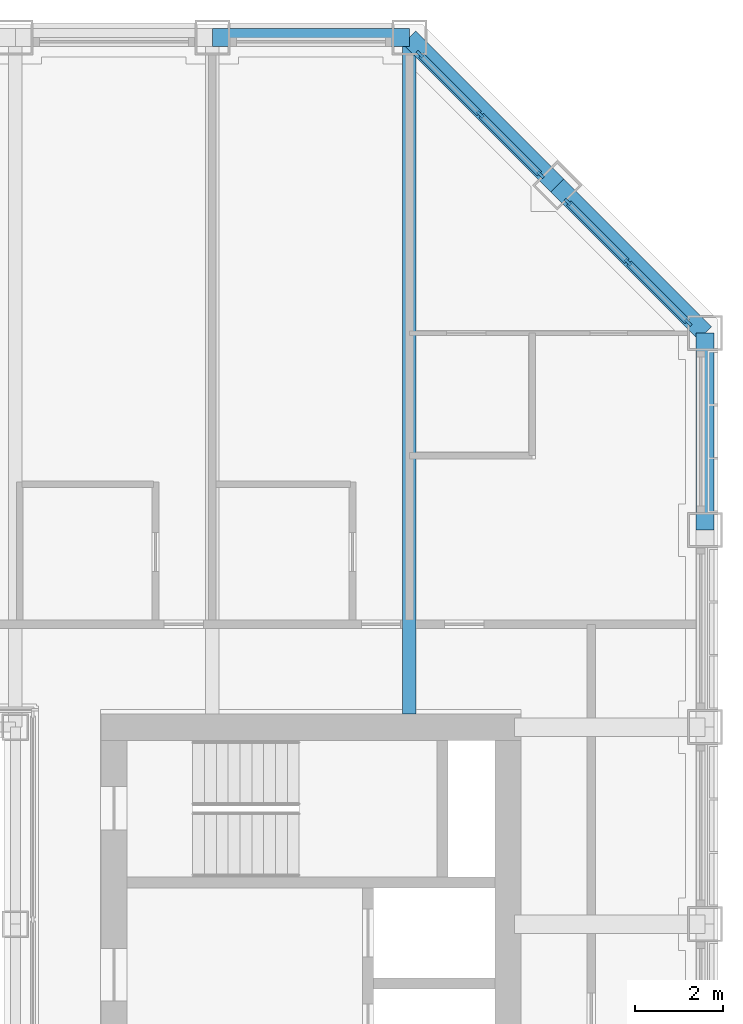
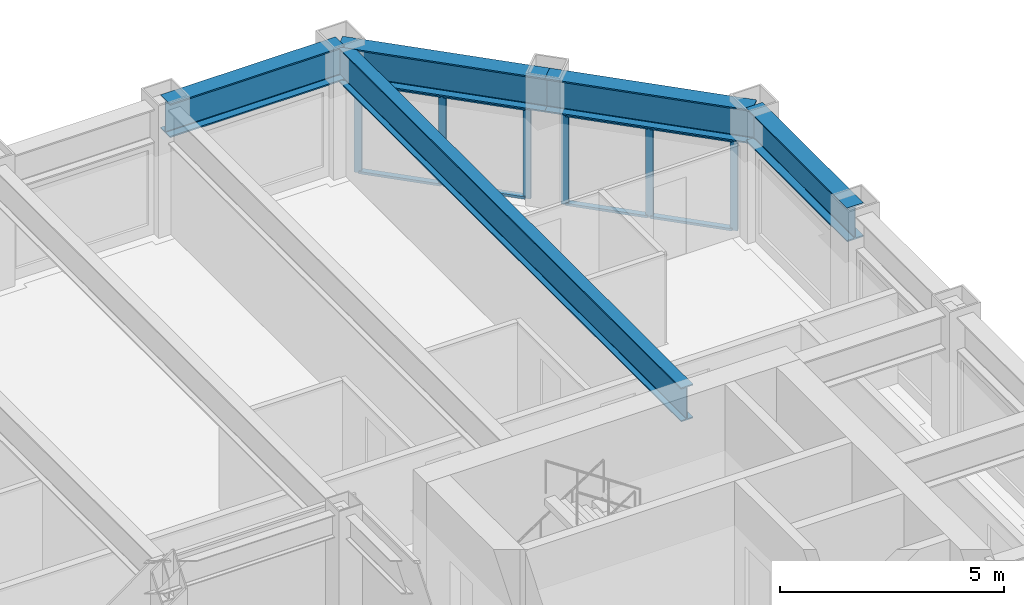
# One storey, part 8 of 17: 14 members, 5 beams, 2 elements without a shape of their own.
"""IFC4 building model written with IfcOpenShell, lengths in metres."""

from ifc_helpers import new_model, si_unit, direction, frame, origin, origin_2d, place, context, subcontext, project, spatial, rectangle, i_section, extrude, material, material_profile, profile_set, type_object, element, aggregate, save


model = new_model("IFC4")

# Units and contexts
model_context = context("Model", 3, precision=1e-05, world=origin(), true_north=direction((0.0, 1.0)))
body_context = subcontext(model_context, "Body", "Model", "MODEL_VIEW")
ifc_project = project(units=[si_unit("LENGTHUNIT", "METRE"), si_unit("AREAUNIT", "SQUARE_METRE"), si_unit("VOLUMEUNIT", "CUBIC_METRE"), si_unit("PLANEANGLEUNIT", "RADIAN"), si_unit("MASSUNIT", "GRAM", prefix="KILO")], contexts=[model_context])

# Site, building, storey
site_placement = place(None, origin())
site = spatial("IfcSite", under=ifc_project, at=site_placement, CompositionType="ELEMENT")
building_placement = place(site_placement, origin())
building = spatial("IfcBuilding", under=site, at=building_placement, Name="Msasa Ring Tower", CompositionType="ELEMENT")
storey_placement = place(building_placement, frame((0.0, 0.0, 179.60009765625)))
storey = spatial("IfcBuildingStorey", under=building, at=storey_placement, Name="L47", CompositionType="ELEMENT", Elevation=179.60009765625)

# Curtain wall, members
ifc_material_1 = material(Name="Aluminium curtain wall with clear glass", Category="aluminium")
curtain_wall_type = type_object("IfcCurtainWallType", Name="CW-C CHAMFER CORNER CURTAIN WALL", PredefinedType="NOTDEFINED", material=ifc_material_1)
curtain_wall_1_placement = place(storey_placement, origin())
curtain_wall_1 = element("IfcCurtainWall", 1, at=curtain_wall_1_placement, inside=storey, type_object=curtain_wall_type, Name="Chamfer corner curtain wall NE L47", PredefinedType="NOTDEFINED")
ifc_material_2 = material(Name="Aluminium mullion", Category="aluminium")
ifc_material_profile_1 = material_profile(ifc_material_2, rectangle(XDim=0.06494140625, YDim=0.179931640625, at=origin_2d()), Name="AL 65x180")
ifc_profile_set_1 = profile_set([ifc_material_profile_1], Name="Aluminium mullion")
member_type_1 = type_object("IfcMemberType", Name="CW-C MULLION 65x180", PredefinedType="MULLION", material=ifc_profile_set_1)
member_1_placement = place(storey_placement, frame((18.744873046875, 19.36376953125, 0.0), z_axis=(0.0, 0.0, 1.0), x_axis=(-0.707106781187, -0.707106781187, 0.0)))
member_1 = element("IfcMember", 2, at=member_1_placement, type_object=member_type_1, Name="CW-C mullion 1", PredefinedType="MULLION", context=body_context, shape_type="SweptSolid", body=[
    extrude(rectangle(XDim=0.06494140625, YDim=0.179931640625, at=origin_2d()), origin(), (0.0, 0.0, 1.0), 2.47900390625),
])
member_2_placement = place(storey_placement, frame((17.36669921875, 20.74169921875, 0.0), z_axis=(0.0, 0.0, 1.0), x_axis=(-0.707106781187, -0.707106781187, 0.0)))
member_2 = element("IfcMember", 3, at=member_2_placement, type_object=member_type_1, Name="CW-C mullion 2", PredefinedType="MULLION", context=body_context, shape_type="SweptSolid", body=[
    extrude(rectangle(XDim=0.06494140625, YDim=0.179931640625, at=origin_2d()), origin(), (0.0, 0.0, 1.0), 2.47900390625),
])
member_3_placement = place(storey_placement, frame((15.98876953125, 22.119873046875, 0.0), z_axis=(0.0, 0.0, 1.0), x_axis=(-0.707106781187, -0.707106781187, 0.0)))
member_3 = element("IfcMember", 4, at=member_3_placement, type_object=member_type_1, Name="CW-C mullion 3", PredefinedType="MULLION", context=body_context, shape_type="SweptSolid", body=[
    extrude(rectangle(XDim=0.06494140625, YDim=0.179931640625, at=origin_2d()), origin(), (0.0, 0.0, 1.0), 2.47900390625),
])

curtain_wall_2_placement = place(storey_placement, origin())
curtain_wall_2 = element("IfcCurtainWall", 5, at=curtain_wall_2_placement, inside=storey, type_object=curtain_wall_type, Name="Chamfer corner curtain wall NE L47", PredefinedType="NOTDEFINED")
member_4_placement = place(storey_placement, frame((22.119873046875, 15.98876953125, 0.0), z_axis=(0.0, 0.0, 1.0), x_axis=(-0.707106781187, -0.707106781187, 0.0)))
member_4 = element("IfcMember", 6, at=member_4_placement, type_object=member_type_1, Name="CW-C mullion 1", PredefinedType="MULLION", context=body_context, shape_type="SweptSolid", body=[
    extrude(rectangle(XDim=0.06494140625, YDim=0.179931640625, at=origin_2d()), origin(), (0.0, 0.0, 1.0), 2.47900390625),
])
member_5_placement = place(storey_placement, frame((20.74169921875, 17.36669921875, 0.0), z_axis=(0.0, 0.0, 1.0), x_axis=(-0.707106781187, -0.707106781187, 0.0)))
member_5 = element("IfcMember", 7, at=member_5_placement, type_object=member_type_1, Name="CW-C mullion 2", PredefinedType="MULLION", context=body_context, shape_type="SweptSolid", body=[
    extrude(rectangle(XDim=0.06494140625, YDim=0.179931640625, at=origin_2d()), origin(), (0.0, 0.0, 1.0), 2.47900390625),
])
member_6_placement = place(storey_placement, frame((19.36376953125, 18.744873046875, 0.0), z_axis=(0.0, 0.0, 1.0), x_axis=(-0.707106781187, -0.707106781187, 0.0)))
member_6 = element("IfcMember", 8, at=member_6_placement, type_object=member_type_1, Name="CW-C mullion 3", PredefinedType="MULLION", context=body_context, shape_type="SweptSolid", body=[
    extrude(rectangle(XDim=0.06494140625, YDim=0.179931640625, at=origin_2d()), origin(), (0.0, 0.0, 1.0), 2.47900390625),
])

# Member
ifc_material_3 = material(Name="Aluminium transom", Category="aluminium")
ifc_material_profile_2 = material_profile(ifc_material_3, rectangle(XDim=0.139892578125, YDim=0.06494140625, at=origin_2d()), Name="AL 65x140")
ifc_profile_set_2 = profile_set([ifc_material_profile_2], Name="Aluminium transom")
member_type_2 = type_object("IfcMemberType", Name="CW-C TRANSOM 65x140", PredefinedType="USERDEFINED", material=ifc_profile_set_2)
member_7_placement = place(storey_placement, frame((18.721923828125, 19.38671875, 0.032470703125), z_axis=(-0.707106781187, 0.707106781187, 0.0), x_axis=(-0.707106781187, -0.707106781187, 0.0)))
member_7 = element("IfcMember", 9, at=member_7_placement, type_object=member_type_2, Name="CW-C transom 1.1", ObjectType="TRANSOM", PredefinedType="USERDEFINED", context=body_context, shape_type="SweptSolid", body=[
    extrude(rectangle(XDim=0.139892578125, YDim=0.06494140625, at=origin_2d()), origin(), (0.0, 0.0, 1.0), 1.8837890625),
])

member_8_placement = place(storey_placement, frame((18.721923828125, 19.38671875, 2.4462890625), z_axis=(-0.707106781187, 0.707106781187, 0.0), x_axis=(-0.707106781187, -0.707106781187, 0.0)))
member_8 = element("IfcMember", 10, at=member_8_placement, type_object=member_type_2, Name="CW-C transom 1.2", ObjectType="TRANSOM", PredefinedType="USERDEFINED", context=body_context, shape_type="SweptSolid", body=[
    extrude(rectangle(XDim=0.139892578125, YDim=0.06494140625, at=origin_2d()), origin(), (0.0, 0.0, 1.0), 1.8837890625),
])

member_9_placement = place(storey_placement, frame((17.34375, 20.764892578125, 0.032470703125), z_axis=(-0.707106781187, 0.707106781187, 0.0), x_axis=(-0.707106781187, -0.707106781187, 0.0)))
member_9 = element("IfcMember", 11, at=member_9_placement, type_object=member_type_2, Name="CW-C transom 2.1", ObjectType="TRANSOM", PredefinedType="USERDEFINED", context=body_context, shape_type="SweptSolid", body=[
    extrude(rectangle(XDim=0.139892578125, YDim=0.06494140625, at=origin_2d()), origin(), (0.0, 0.0, 1.0), 1.8837890625),
])

member_10_placement = place(storey_placement, frame((17.34375, 20.764892578125, 2.4462890625), z_axis=(-0.707106781187, 0.707106781187, 0.0), x_axis=(-0.707106781187, -0.707106781187, 0.0)))
member_10 = element("IfcMember", 12, at=member_10_placement, type_object=member_type_2, Name="CW-C transom 2.2", ObjectType="TRANSOM", PredefinedType="USERDEFINED", context=body_context, shape_type="SweptSolid", body=[
    extrude(rectangle(XDim=0.139892578125, YDim=0.06494140625, at=origin_2d()), origin(), (0.0, 0.0, 1.0), 1.8837890625),
])

aggregate(curtain_wall_1, [member_1, member_2, member_3, member_7, member_8, member_9, member_10])

member_11_placement = place(storey_placement, frame((22.096923828125, 16.01171875, 0.032470703125), z_axis=(-0.707106781187, 0.707106781187, 0.0), x_axis=(-0.707106781187, -0.707106781187, 0.0)))
member_11 = element("IfcMember", 13, at=member_11_placement, type_object=member_type_2, Name="CW-C transom 1.1", ObjectType="TRANSOM", PredefinedType="USERDEFINED", context=body_context, shape_type="SweptSolid", body=[
    extrude(rectangle(XDim=0.139892578125, YDim=0.06494140625, at=origin_2d()), origin(), (0.0, 0.0, 1.0), 1.8837890625),
])

member_12_placement = place(storey_placement, frame((22.096923828125, 16.01171875, 2.4462890625), z_axis=(-0.707106781187, 0.707106781187, 0.0), x_axis=(-0.707106781187, -0.707106781187, 0.0)))
member_12 = element("IfcMember", 14, at=member_12_placement, type_object=member_type_2, Name="CW-C transom 1.2", ObjectType="TRANSOM", PredefinedType="USERDEFINED", context=body_context, shape_type="SweptSolid", body=[
    extrude(rectangle(XDim=0.139892578125, YDim=0.06494140625, at=origin_2d()), origin(), (0.0, 0.0, 1.0), 1.8837890625),
])

member_13_placement = place(storey_placement, frame((20.71875, 17.389892578125, 0.032470703125), z_axis=(-0.707106781187, 0.707106781187, 0.0), x_axis=(-0.707106781187, -0.707106781187, 0.0)))
member_13 = element("IfcMember", 15, at=member_13_placement, type_object=member_type_2, Name="CW-C transom 2.1", ObjectType="TRANSOM", PredefinedType="USERDEFINED", context=body_context, shape_type="SweptSolid", body=[
    extrude(rectangle(XDim=0.139892578125, YDim=0.06494140625, at=origin_2d()), origin(), (0.0, 0.0, 1.0), 1.8837890625),
])

member_14_placement = place(storey_placement, frame((20.71875, 17.389892578125, 2.4462890625), z_axis=(-0.707106781187, 0.707106781187, 0.0), x_axis=(-0.707106781187, -0.707106781187, 0.0)))
member_14 = element("IfcMember", 16, at=member_14_placement, type_object=member_type_2, Name="CW-C transom 2.2", ObjectType="TRANSOM", PredefinedType="USERDEFINED", context=body_context, shape_type="SweptSolid", body=[
    extrude(rectangle(XDim=0.139892578125, YDim=0.06494140625, at=origin_2d()), origin(), (0.0, 0.0, 1.0), 1.8837890625),
])

aggregate(curtain_wall_2, [member_4, member_5, member_6, member_11, member_12, member_13, member_14])

# Beams
ifc_material_4 = material(Name="Steel S355", Category="steel")
ifc_material_profile_3 = material_profile(ifc_material_4, i_section(OverallWidth=0.3076171875, OverallDepth=0.926513671875, WebThickness=0.01953125, FlangeThickness=0.031982421875, FilletRadius=0.01904296875, at=origin_2d()), Name="UB 914x305x289")
ifc_profile_set_3 = profile_set([ifc_material_profile_3], Name="Steel S355")
beam_type_1 = type_object("IfcBeamType", Name="FB3 UB 914x305x289", PredefinedType="BEAM", material=ifc_profile_set_3)
beam_1_placement = place(storey_placement, frame((15.75, 22.5, 2.9365234375), z_axis=(0.0, -1.0, 0.0), x_axis=(1.0, 0.0, 0.0)))
element("IfcBeam", 17, at=beam_1_placement, inside=storey, type_object=beam_type_1, Name="Floor beam N+15.75 under L48", PredefinedType="BEAM", context=body_context, shape_type="SweptSolid", body=[
    extrude(i_section(OverallWidth=0.3076171875, OverallDepth=0.926513671875, WebThickness=0.01953125, FlangeThickness=0.031982421875, FilletRadius=0.01904296875, at=origin_2d()), origin(), (0.0, 0.0, 1.0), 15.449951171875),
])
ifc_material_5 = material(Name="Steel S355", Category="steel")
ifc_material_profile_4 = material_profile(ifc_material_5, i_section(OverallWidth=0.42041015625, OverallDepth=0.9208984375, WebThickness=0.021484375, FlangeThickness=0.03662109375, FilletRadius=0.024169921875, at=origin_2d()), Name="UB 914x419x388")
ifc_profile_set_4 = profile_set([ifc_material_profile_4], Name="Steel S355")
beam_type_2 = type_object("IfcBeamType", Name="SB1 UB 914x419x388", PredefinedType="SPANDREL", material=ifc_profile_set_4)
beam_2_placement = place(storey_placement, frame((22.5, 11.25, 2.939453125), z_axis=(0.0, 1.0, 0.0), x_axis=(-1.0, 0.0, 0.0)))
element("IfcBeam", 18, at=beam_2_placement, inside=storey, type_object=beam_type_2, Name="Spandrel E+11.25 to E+15.75 under L48", PredefinedType="SPANDREL", context=body_context, shape_type="SweptSolid", body=[
    extrude(i_section(OverallWidth=0.42041015625, OverallDepth=0.9208984375, WebThickness=0.021484375, FlangeThickness=0.03662109375, FilletRadius=0.024169921875, at=origin_2d()), origin(), (0.0, 0.0, 1.0), 4.5),
])
for number, where, z_axis, x_axis, name in (
    (19, (22.5, 15.75, 2.939453125), (-0.707106781187, 0.707106781187, 0.0), (-0.707106781187, -0.707106781187, 0.0), "Spandrel E+15.75 to NE under L48"),
    (20, (19.125, 19.125, 2.939453125), (-0.707106781187, 0.707106781187, 0.0), (-0.707106781187, -0.707106781187, 0.0), "Spandrel NE to N+15.75 under L48"),
):
    element("IfcBeam", number, at=place(storey_placement, frame(where, z_axis=z_axis, x_axis=x_axis)), inside=storey, type_object=beam_type_2, Name=name, PredefinedType="SPANDREL", context=body_context, shape_type="SweptSolid", body=[
        extrude(i_section(OverallWidth=0.42041015625, OverallDepth=0.9208984375, WebThickness=0.021484375, FlangeThickness=0.03662109375, FilletRadius=0.024169921875, at=origin_2d()), origin(), (0.0, 0.0, 1.0), 4.77294921875),
    ])
beam_3_placement = place(storey_placement, frame((15.75, 22.5, 2.939453125), z_axis=(-1.0, 0.0, 0.0), x_axis=(0.0, -1.0, 0.0)))
element("IfcBeam", 21, at=beam_3_placement, inside=storey, type_object=beam_type_2, Name="Spandrel N+15.75 to N+11.25 under L48", PredefinedType="SPANDREL", context=body_context, shape_type="SweptSolid", body=[
    extrude(i_section(OverallWidth=0.42041015625, OverallDepth=0.9208984375, WebThickness=0.021484375, FlangeThickness=0.03662109375, FilletRadius=0.024169921875, at=origin_2d()), origin(), (0.0, 0.0, 1.0), 4.5),
])

save(model, "model.ifc")
